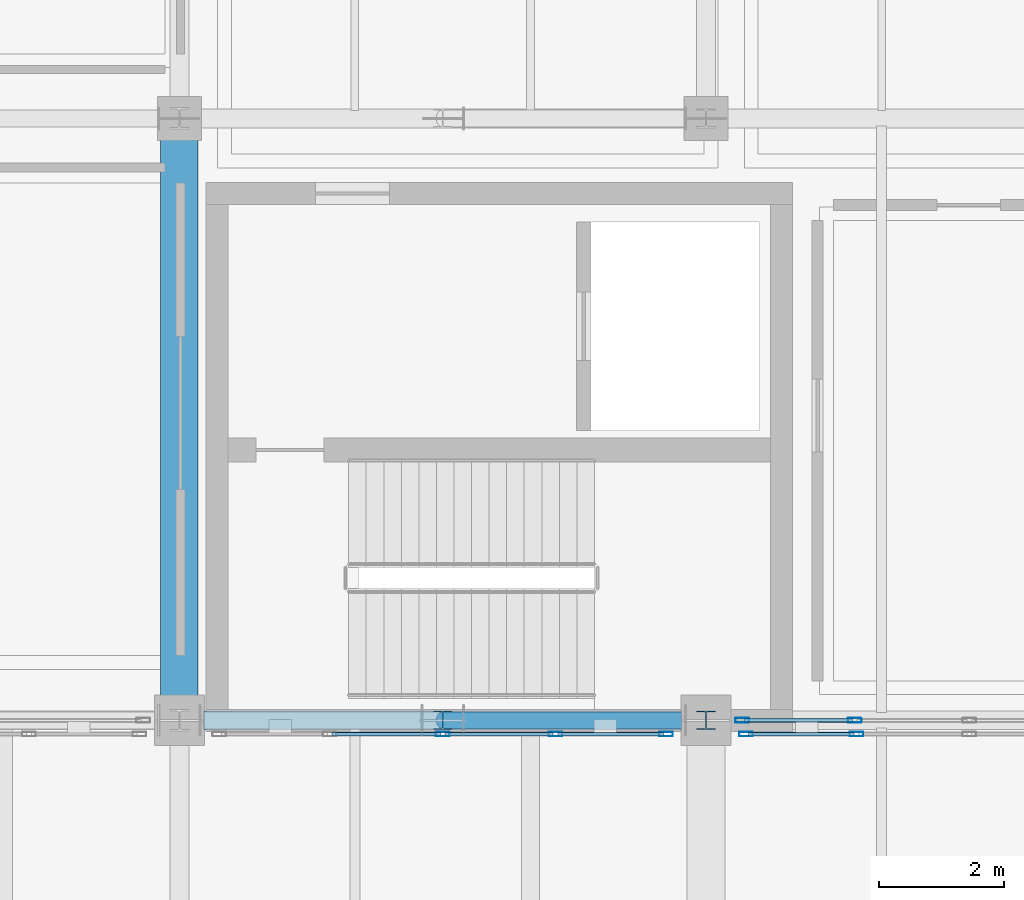
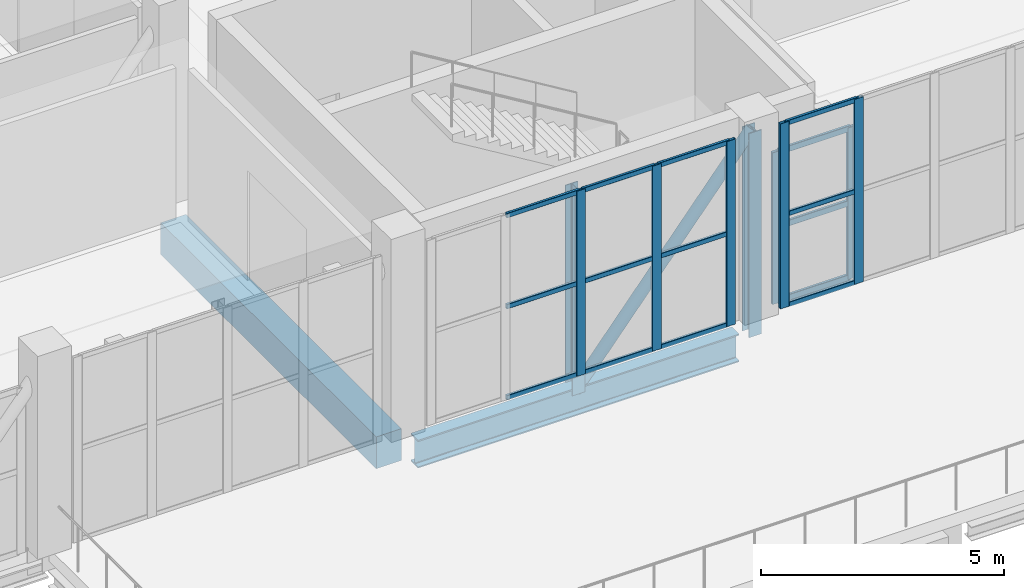
# One storey, part 5 of 77: 25 members, 2 beams, 3 elements without a shape of their own.
"""IFC4 building model written with IfcOpenShell, lengths in metres."""

from ifc_helpers import new_model, si_unit, direction, frame, origin, origin_2d, place, context, subcontext, project, spatial, rectangle, hollow_rectangle, hollow_circle, i_section, extrude, material, layer, layer_set, material_profile, profile_set, type_object, element, aggregate, save


model = new_model("IFC4")

# Units and contexts
model_context = context("Model", 3, precision=1e-05, world=origin(), true_north=direction((0.0, 1.0)))
body_context = subcontext(model_context, "Body", "Model", "MODEL_VIEW")
ifc_project = project(units=[si_unit("LENGTHUNIT", "METRE"), si_unit("AREAUNIT", "SQUARE_METRE"), si_unit("VOLUMEUNIT", "CUBIC_METRE"), si_unit("PLANEANGLEUNIT", "RADIAN"), si_unit("MASSUNIT", "GRAM", prefix="KILO")], contexts=[model_context])

# Site, building, storey
site_placement = place(None, origin())
site = spatial("IfcSite", under=ifc_project, at=site_placement, CompositionType="ELEMENT")
building_placement = place(site_placement, origin())
building = spatial("IfcBuilding", under=site, at=building_placement, Name="Zulmaris Art Gallery", CompositionType="ELEMENT")
storey_placement = place(building_placement, frame((0.0, 0.0, 15.60009765625)))
storey = spatial("IfcBuildingStorey", under=building, at=storey_placement, Name="L03", CompositionType="ELEMENT", Elevation=15.60009765625)

# Beams
ifc_material_1 = material(Name="Steel S355J2", Category="steel")
ifc_material_profile_1 = material_profile(ifc_material_1, i_section(OverallWidth=0.300048828125, OverallDepth=0.699951171875, WebThickness=0.01708984375, FlangeThickness=0.031982421875, FilletRadius=0.027099609375, at=origin_2d()), Name="HEB 700")
ifc_profile_set_1 = profile_set([ifc_material_profile_1], Name="Steel S355J2")
beam_type_1 = type_object("IfcBeamType", Name="BEAM-BM16", PredefinedType="BEAM", material=ifc_profile_set_1)
beam_1_placement = place(storey_placement, frame((32.784912109375, 21.60009765625, -0.72021484375), z_axis=(1.0, 0.0, 0.0), x_axis=(0.0, 1.0, 0.0)))
element("IfcBeam", 1, at=beam_1_placement, inside=storey, type_object=beam_type_1, Name="L03 X-girder (32.4..40.8, y=21.6)", PredefinedType="BEAM", context=body_context, shape_type="SweptSolid", body=[
    extrude(i_section(OverallWidth=0.300048828125, OverallDepth=0.699951171875, WebThickness=0.01708984375, FlangeThickness=0.031982421875, FilletRadius=0.027099609375, at=origin_2d()), origin(), (0.0, 0.0, 1.0), 7.630126953125),
])
ifc_material_2 = material(Name="Concrete C40/50", Category="concrete")
ifc_material_profile_2 = material_profile(ifc_material_2, rectangle(XDim=0.60009765625, YDim=0.800048828125, at=origin_2d()), Name="RC 600x800")
ifc_profile_set_2 = profile_set([ifc_material_profile_2], Name="Concrete C40/50")
beam_type_2 = type_object("IfcBeamType", Name="BEAM-BM27", PredefinedType="BEAM", material=ifc_profile_set_2)
beam_2_placement = place(storey_placement, frame((32.39990234375, 21.985107421875, -0.77001953125), z_axis=(0.0, 1.0, 0.0), x_axis=(-1.0, 0.0, 0.0)))
element("IfcBeam", 2, at=beam_2_placement, inside=storey, type_object=beam_type_2, Name="L03 Y-girder (x=32.4, 21.6..31.2)", PredefinedType="BEAM", context=body_context, shape_type="SweptSolid", body=[
    extrude(rectangle(XDim=0.60009765625, YDim=0.800048828125, at=origin_2d()), origin(), (0.0, 0.0, 1.0), 8.8798828125),
])

# Curtain wall, members
ifc_material_3 = material(Name="Unitised Low-E Gallery Curtain Wall", Category="aluminium")
ifc_layer_1 = layer(ifc_material_3, 0.179931640625)
ifc_layer_set_1 = layer_set([ifc_layer_1], Name="Unitised Low-E Gallery Curtain Wall")
curtain_wall_type_1 = type_object("IfcCurtainWallType", Name="CW-CW01", PredefinedType="NOTDEFINED", material=ifc_layer_set_1)
curtain_wall_1_placement = place(storey_placement, origin())
curtain_wall_1 = element("IfcCurtainWall", 3, at=curtain_wall_1_placement, inside=storey, type_object=curtain_wall_type_1, Name="L03 curtain wall 8", PredefinedType="NOTDEFINED")
ifc_material_4 = material(Name="Anodised Bronze Aluminium", Category="aluminium")
ifc_material_profile_3 = material_profile(ifc_material_4, hollow_rectangle(XDim=0.074951171875, YDim=0.219970703125, WallThickness=0.0048828125, InnerFilletRadius=0.007568359375, OuterFilletRadius=0.012451171875, at=origin_2d()), Name="ALU 75x220x5")
ifc_profile_set_3 = profile_set([ifc_material_profile_3], Name="Anodised Bronze Aluminium")
member_type_1 = type_object("IfcMemberType", Name="CWMUL-02", PredefinedType="MULLION", material=ifc_profile_set_3)
member_1_placement = place(storey_placement, frame((41.37744140625, 21.60009765625, 0.0), z_axis=(0.0, 0.0, 1.0), x_axis=(0.0, 1.0, 0.0)))
member_1 = element("IfcMember", 4, at=member_1_placement, type_object=member_type_1, Name="CW01 mullion 1", PredefinedType="MULLION", context=body_context, shape_type="SweptSolid", body=[
    extrude(hollow_rectangle(XDim=0.074951171875, YDim=0.219970703125, WallThickness=0.0048828125, InnerFilletRadius=0.007568359375, OuterFilletRadius=0.012451171875, at=origin_2d()), origin(), (0.0, 0.0, 1.0), 3.809814453125),
])
member_2_placement = place(storey_placement, frame((43.169921875, 21.60009765625, 0.0), z_axis=(0.0, 0.0, 1.0), x_axis=(0.0, 1.0, 0.0)))
member_2 = element("IfcMember", 5, at=member_2_placement, type_object=member_type_1, Name="CW01 mullion 2", PredefinedType="MULLION", context=body_context, shape_type="SweptSolid", body=[
    extrude(hollow_rectangle(XDim=0.074951171875, YDim=0.219970703125, WallThickness=0.0048828125, InnerFilletRadius=0.007568359375, OuterFilletRadius=0.012451171875, at=origin_2d()), origin(), (0.0, 0.0, 1.0), 3.809814453125),
])

ifc_material_5 = material(Name="Perforated Bronze Art Deco Mashrabiya Screen", Category="aluminium")
ifc_layer_2 = layer(ifc_material_5, 0.179931640625)
ifc_layer_set_2 = layer_set([ifc_layer_2], Name="Perforated Bronze Art Deco Mashrabiya Screen")
curtain_wall_type_2 = type_object("IfcCurtainWallType", Name="CW-CW06", PredefinedType="USERDEFINED", material=ifc_layer_set_2)
curtain_wall_2_placement = place(storey_placement, origin())
curtain_wall_2 = element("IfcCurtainWall", 6, at=curtain_wall_2_placement, inside=storey, type_object=curtain_wall_type_2, Name="L03 Mashrabiya screen 172", ObjectType="MASHRABIYA SCREEN", PredefinedType="USERDEFINED")
member_3_placement = place(storey_placement, frame((36.60009765625, 21.3798828125, 0.0), z_axis=(0.0, 0.0, 1.0), x_axis=(0.0, 1.0, 0.0)))
member_3 = element("IfcMember", 7, at=member_3_placement, type_object=member_type_1, Name="CW06 mullion 3", PredefinedType="MULLION", context=body_context, shape_type="SweptSolid", body=[
    extrude(hollow_rectangle(XDim=0.074951171875, YDim=0.219970703125, WallThickness=0.0048828125, InnerFilletRadius=0.007568359375, OuterFilletRadius=0.012451171875, at=origin_2d()), origin(), (0.0, 0.0, 1.0), 4.64990234375),
])
member_4_placement = place(storey_placement, frame((38.39990234375, 21.3798828125, 0.0), z_axis=(0.0, 0.0, 1.0), x_axis=(0.0, 1.0, 0.0)))
member_4 = element("IfcMember", 8, at=member_4_placement, type_object=member_type_1, Name="CW06 mullion 4", PredefinedType="MULLION", context=body_context, shape_type="SweptSolid", body=[
    extrude(hollow_rectangle(XDim=0.074951171875, YDim=0.219970703125, WallThickness=0.0048828125, InnerFilletRadius=0.007568359375, OuterFilletRadius=0.012451171875, at=origin_2d()), origin(), (0.0, 0.0, 1.0), 4.64990234375),
])
member_5_placement = place(storey_placement, frame((40.16259765625, 21.3798828125, 0.0), z_axis=(0.0, 0.0, 1.0), x_axis=(0.0, 1.0, 0.0)))
member_5 = element("IfcMember", 9, at=member_5_placement, type_object=member_type_1, Name="CW06 mullion 5", PredefinedType="MULLION", context=body_context, shape_type="SweptSolid", body=[
    extrude(hollow_rectangle(XDim=0.074951171875, YDim=0.219970703125, WallThickness=0.0048828125, InnerFilletRadius=0.007568359375, OuterFilletRadius=0.012451171875, at=origin_2d()), origin(), (0.0, 0.0, 1.0), 4.64990234375),
])

curtain_wall_3_placement = place(storey_placement, origin())
curtain_wall_3 = element("IfcCurtainWall", 10, at=curtain_wall_3_placement, inside=storey, type_object=curtain_wall_type_2, Name="L03 Mashrabiya screen 173", ObjectType="MASHRABIYA SCREEN", PredefinedType="USERDEFINED")
member_6_placement = place(storey_placement, frame((41.4375, 21.3798828125, 0.0), z_axis=(0.0, 0.0, 1.0), x_axis=(0.0, 1.0, 0.0)))
member_6 = element("IfcMember", 11, at=member_6_placement, type_object=member_type_1, Name="CW06 mullion 1", PredefinedType="MULLION", context=body_context, shape_type="SweptSolid", body=[
    extrude(hollow_rectangle(XDim=0.074951171875, YDim=0.219970703125, WallThickness=0.0048828125, InnerFilletRadius=0.007568359375, OuterFilletRadius=0.012451171875, at=origin_2d()), origin(), (0.0, 0.0, 1.0), 4.64990234375),
])
member_7_placement = place(storey_placement, frame((43.199951171875, 21.3798828125, 0.0), z_axis=(0.0, 0.0, 1.0), x_axis=(0.0, 1.0, 0.0)))
member_7 = element("IfcMember", 12, at=member_7_placement, type_object=member_type_1, Name="CW06 mullion 2", PredefinedType="MULLION", context=body_context, shape_type="SweptSolid", body=[
    extrude(hollow_rectangle(XDim=0.074951171875, YDim=0.219970703125, WallThickness=0.0048828125, InnerFilletRadius=0.007568359375, OuterFilletRadius=0.012451171875, at=origin_2d()), origin(), (0.0, 0.0, 1.0), 4.64990234375),
])

# Member
ifc_material_profile_4 = material_profile(ifc_material_4, hollow_rectangle(XDim=0.06494140625, YDim=0.14990234375, WallThickness=0.00390625, InnerFilletRadius=0.006103515625, OuterFilletRadius=0.010009765625, at=origin_2d()), Name="ALU 65x150x4")
ifc_profile_set_4 = profile_set([ifc_material_profile_4], Name="Anodised Bronze Aluminium")
member_type_2 = type_object("IfcMemberType", Name="CWTRN-01", PredefinedType="USERDEFINED", material=ifc_profile_set_4)
member_8_placement = place(storey_placement, frame((41.4150390625, 21.60009765625, 0.037353515625), z_axis=(1.0, 0.0, 0.0), x_axis=(0.0, 1.0, 0.0)))
member_8 = element("IfcMember", 13, at=member_8_placement, type_object=member_type_2, Name="CW01 transom 1.1", ObjectType="TRANSOM", PredefinedType="USERDEFINED", context=body_context, shape_type="SweptSolid", body=[
    extrude(hollow_rectangle(XDim=0.06494140625, YDim=0.14990234375, WallThickness=0.00390625, InnerFilletRadius=0.006103515625, OuterFilletRadius=0.010009765625, at=origin_2d()), origin(), (0.0, 0.0, 1.0), 1.717529296875),
])

member_9_placement = place(storey_placement, frame((41.4150390625, 21.60009765625, 1.90478515625), z_axis=(1.0, 0.0, 0.0), x_axis=(0.0, 1.0, 0.0)))
member_9 = element("IfcMember", 14, at=member_9_placement, type_object=member_type_2, Name="CW01 transom 1.2", ObjectType="TRANSOM", PredefinedType="USERDEFINED", context=body_context, shape_type="SweptSolid", body=[
    extrude(hollow_rectangle(XDim=0.06494140625, YDim=0.14990234375, WallThickness=0.00390625, InnerFilletRadius=0.006103515625, OuterFilletRadius=0.010009765625, at=origin_2d()), origin(), (0.0, 0.0, 1.0), 1.717529296875),
])

member_10_placement = place(storey_placement, frame((41.4150390625, 21.60009765625, 3.7724609375), z_axis=(1.0, 0.0, 0.0), x_axis=(0.0, 1.0, 0.0)))
member_10 = element("IfcMember", 15, at=member_10_placement, type_object=member_type_2, Name="CW01 transom 1.3", ObjectType="TRANSOM", PredefinedType="USERDEFINED", context=body_context, shape_type="SweptSolid", body=[
    extrude(hollow_rectangle(XDim=0.06494140625, YDim=0.14990234375, WallThickness=0.00390625, InnerFilletRadius=0.006103515625, OuterFilletRadius=0.010009765625, at=origin_2d()), origin(), (0.0, 0.0, 1.0), 1.717529296875),
])

aggregate(curtain_wall_1, [member_1, member_2, member_8, member_9, member_10])

ifc_material_profile_5 = material_profile(ifc_material_4, hollow_rectangle(XDim=0.06494140625, YDim=0.1201171875, WallThickness=0.00390625, InnerFilletRadius=0.006103515625, OuterFilletRadius=0.010009765625, at=origin_2d()), Name="ALU 65x120x4")
ifc_profile_set_5 = profile_set([ifc_material_profile_5], Name="Anodised Bronze Aluminium")
member_type_3 = type_object("IfcMemberType", Name="CWTRN-03", PredefinedType="USERDEFINED", material=ifc_profile_set_5)
member_11_placement = place(storey_placement, frame((34.83740234375, 21.3798828125, 0.037353515625), z_axis=(1.0, 0.0, 0.0), x_axis=(0.0, 1.0, 0.0)))
member_11 = element("IfcMember", 16, at=member_11_placement, type_object=member_type_3, Name="CW06 transom 2.1", ObjectType="TRANSOM", PredefinedType="USERDEFINED", context=body_context, shape_type="SweptSolid", body=[
    extrude(hollow_rectangle(XDim=0.06494140625, YDim=0.1201171875, WallThickness=0.00390625, InnerFilletRadius=0.006103515625, OuterFilletRadius=0.010009765625, at=origin_2d()), origin(), (0.0, 0.0, 1.0), 1.72509765625),
])

member_12_placement = place(storey_placement, frame((34.83740234375, 21.3798828125, 2.324951171875), z_axis=(1.0, 0.0, 0.0), x_axis=(0.0, 1.0, 0.0)))
member_12 = element("IfcMember", 17, at=member_12_placement, type_object=member_type_3, Name="CW06 transom 2.2", ObjectType="TRANSOM", PredefinedType="USERDEFINED", context=body_context, shape_type="SweptSolid", body=[
    extrude(hollow_rectangle(XDim=0.06494140625, YDim=0.1201171875, WallThickness=0.00390625, InnerFilletRadius=0.006103515625, OuterFilletRadius=0.010009765625, at=origin_2d()), origin(), (0.0, 0.0, 1.0), 1.72509765625),
])

member_13_placement = place(storey_placement, frame((34.83740234375, 21.3798828125, 4.6123046875), z_axis=(1.0, 0.0, 0.0), x_axis=(0.0, 1.0, 0.0)))
member_13 = element("IfcMember", 18, at=member_13_placement, type_object=member_type_3, Name="CW06 transom 2.3", ObjectType="TRANSOM", PredefinedType="USERDEFINED", context=body_context, shape_type="SweptSolid", body=[
    extrude(hollow_rectangle(XDim=0.06494140625, YDim=0.1201171875, WallThickness=0.00390625, InnerFilletRadius=0.006103515625, OuterFilletRadius=0.010009765625, at=origin_2d()), origin(), (0.0, 0.0, 1.0), 1.72509765625),
])

member_14_placement = place(storey_placement, frame((36.637451171875, 21.3798828125, 0.037353515625), z_axis=(1.0, 0.0, 0.0), x_axis=(0.0, 1.0, 0.0)))
member_14 = element("IfcMember", 19, at=member_14_placement, type_object=member_type_3, Name="CW06 transom 3.1", ObjectType="TRANSOM", PredefinedType="USERDEFINED", context=body_context, shape_type="SweptSolid", body=[
    extrude(hollow_rectangle(XDim=0.06494140625, YDim=0.1201171875, WallThickness=0.00390625, InnerFilletRadius=0.006103515625, OuterFilletRadius=0.010009765625, at=origin_2d()), origin(), (0.0, 0.0, 1.0), 1.72509765625),
])

member_15_placement = place(storey_placement, frame((36.637451171875, 21.3798828125, 2.324951171875), z_axis=(1.0, 0.0, 0.0), x_axis=(0.0, 1.0, 0.0)))
member_15 = element("IfcMember", 20, at=member_15_placement, type_object=member_type_3, Name="CW06 transom 3.2", ObjectType="TRANSOM", PredefinedType="USERDEFINED", context=body_context, shape_type="SweptSolid", body=[
    extrude(hollow_rectangle(XDim=0.06494140625, YDim=0.1201171875, WallThickness=0.00390625, InnerFilletRadius=0.006103515625, OuterFilletRadius=0.010009765625, at=origin_2d()), origin(), (0.0, 0.0, 1.0), 1.72509765625),
])

member_16_placement = place(storey_placement, frame((36.637451171875, 21.3798828125, 4.6123046875), z_axis=(1.0, 0.0, 0.0), x_axis=(0.0, 1.0, 0.0)))
member_16 = element("IfcMember", 21, at=member_16_placement, type_object=member_type_3, Name="CW06 transom 3.3", ObjectType="TRANSOM", PredefinedType="USERDEFINED", context=body_context, shape_type="SweptSolid", body=[
    extrude(hollow_rectangle(XDim=0.06494140625, YDim=0.1201171875, WallThickness=0.00390625, InnerFilletRadius=0.006103515625, OuterFilletRadius=0.010009765625, at=origin_2d()), origin(), (0.0, 0.0, 1.0), 1.72509765625),
])

member_17_placement = place(storey_placement, frame((38.4375, 21.3798828125, 0.037353515625), z_axis=(1.0, 0.0, 0.0), x_axis=(0.0, 1.0, 0.0)))
member_17 = element("IfcMember", 22, at=member_17_placement, type_object=member_type_3, Name="CW06 transom 4.1", ObjectType="TRANSOM", PredefinedType="USERDEFINED", context=body_context, shape_type="SweptSolid", body=[
    extrude(hollow_rectangle(XDim=0.06494140625, YDim=0.1201171875, WallThickness=0.00390625, InnerFilletRadius=0.006103515625, OuterFilletRadius=0.010009765625, at=origin_2d()), origin(), (0.0, 0.0, 1.0), 1.6875),
])

member_18_placement = place(storey_placement, frame((38.4375, 21.3798828125, 2.324951171875), z_axis=(1.0, 0.0, 0.0), x_axis=(0.0, 1.0, 0.0)))
member_18 = element("IfcMember", 23, at=member_18_placement, type_object=member_type_3, Name="CW06 transom 4.2", ObjectType="TRANSOM", PredefinedType="USERDEFINED", context=body_context, shape_type="SweptSolid", body=[
    extrude(hollow_rectangle(XDim=0.06494140625, YDim=0.1201171875, WallThickness=0.00390625, InnerFilletRadius=0.006103515625, OuterFilletRadius=0.010009765625, at=origin_2d()), origin(), (0.0, 0.0, 1.0), 1.6875),
])

member_19_placement = place(storey_placement, frame((38.4375, 21.3798828125, 4.6123046875), z_axis=(1.0, 0.0, 0.0), x_axis=(0.0, 1.0, 0.0)))
member_19 = element("IfcMember", 24, at=member_19_placement, type_object=member_type_3, Name="CW06 transom 4.3", ObjectType="TRANSOM", PredefinedType="USERDEFINED", context=body_context, shape_type="SweptSolid", body=[
    extrude(hollow_rectangle(XDim=0.06494140625, YDim=0.1201171875, WallThickness=0.00390625, InnerFilletRadius=0.006103515625, OuterFilletRadius=0.010009765625, at=origin_2d()), origin(), (0.0, 0.0, 1.0), 1.6875),
])

aggregate(curtain_wall_2, [member_3, member_4, member_5, member_11, member_12, member_13, member_14, member_15, member_16, member_17, member_18, member_19])

member_20_placement = place(storey_placement, frame((41.47509765625, 21.3798828125, 0.037353515625), z_axis=(1.0, 0.0, 0.0), x_axis=(0.0, 1.0, 0.0)))
member_20 = element("IfcMember", 25, at=member_20_placement, type_object=member_type_3, Name="CW06 transom 1.1", ObjectType="TRANSOM", PredefinedType="USERDEFINED", context=body_context, shape_type="SweptSolid", body=[
    extrude(hollow_rectangle(XDim=0.06494140625, YDim=0.1201171875, WallThickness=0.00390625, InnerFilletRadius=0.006103515625, OuterFilletRadius=0.010009765625, at=origin_2d()), origin(), (0.0, 0.0, 1.0), 1.6875),
])

member_21_placement = place(storey_placement, frame((41.47509765625, 21.3798828125, 2.324951171875), z_axis=(1.0, 0.0, 0.0), x_axis=(0.0, 1.0, 0.0)))
member_21 = element("IfcMember", 26, at=member_21_placement, type_object=member_type_3, Name="CW06 transom 1.2", ObjectType="TRANSOM", PredefinedType="USERDEFINED", context=body_context, shape_type="SweptSolid", body=[
    extrude(hollow_rectangle(XDim=0.06494140625, YDim=0.1201171875, WallThickness=0.00390625, InnerFilletRadius=0.006103515625, OuterFilletRadius=0.010009765625, at=origin_2d()), origin(), (0.0, 0.0, 1.0), 1.6875),
])

member_22_placement = place(storey_placement, frame((41.47509765625, 21.3798828125, 4.6123046875), z_axis=(1.0, 0.0, 0.0), x_axis=(0.0, 1.0, 0.0)))
member_22 = element("IfcMember", 27, at=member_22_placement, type_object=member_type_3, Name="CW06 transom 1.3", ObjectType="TRANSOM", PredefinedType="USERDEFINED", context=body_context, shape_type="SweptSolid", body=[
    extrude(hollow_rectangle(XDim=0.06494140625, YDim=0.1201171875, WallThickness=0.00390625, InnerFilletRadius=0.006103515625, OuterFilletRadius=0.010009765625, at=origin_2d()), origin(), (0.0, 0.0, 1.0), 1.6875),
])

aggregate(curtain_wall_3, [member_6, member_7, member_20, member_21, member_22])

# Members
ifc_material_6 = material(Name="Steel S355J2H", Category="steel")
ifc_material_profile_6 = material_profile(ifc_material_6, hollow_circle(Radius=0.136474609375, WallThickness=0.012451171875, at=origin_2d()), Name="CHS 273x12.5")
ifc_profile_set_6 = profile_set([ifc_material_profile_6], Name="Steel S355J2H")
member_type_4 = type_object("IfcMemberType", Name="MEM-TB03", PredefinedType="BRACE", material=ifc_profile_set_6)
member_23_placement = place(storey_placement, frame((36.60009765625, 21.60009765625, -0.5361328125), z_axis=(0.634319436883, 0.0, 0.773071052357), x_axis=(0.0, 1.0, 0.0)))
element("IfcMember", 28, at=member_23_placement, inside=storey, type_object=member_type_4, Name="Cantilever truss TR-C1 diagonal 7", PredefinedType="BRACE", context=body_context, shape_type="SweptSolid", body=[
    extrude(hollow_circle(Radius=0.136474609375, WallThickness=0.012451171875, at=origin_2d()), origin(), (0.0, 0.0, 1.0), 6.62109375),
])
ifc_material_profile_7 = material_profile(ifc_material_1, i_section(OverallWidth=0.300048828125, OverallDepth=0.300048828125, WebThickness=0.010986328125, FlangeThickness=0.01904296875, FilletRadius=0.027099609375, at=origin_2d()), Name="HEB 300")
ifc_profile_set_7 = profile_set([ifc_material_profile_7], Name="Steel S355J2")
member_type_5 = type_object("IfcMemberType", Name="MEM-TP03", PredefinedType="POST", material=ifc_profile_set_7)
member_24_placement = place(storey_placement, frame((36.60009765625, 21.60009765625, -0.5361328125), z_axis=(0.0, 0.0, 1.0), x_axis=(1.0, 0.0, 0.0)))
element("IfcMember", 29, at=member_24_placement, inside=storey, type_object=member_type_5, Name="Cantilever truss TR-C1 post 7", PredefinedType="POST", context=body_context, shape_type="SweptSolid", body=[
    extrude(i_section(OverallWidth=0.300048828125, OverallDepth=0.300048828125, WebThickness=0.010986328125, FlangeThickness=0.01904296875, FilletRadius=0.027099609375, at=origin_2d()), origin(), (0.0, 0.0, 1.0), 5.11865234375),
])
member_25_placement = place(storey_placement, frame((40.800048828125, 21.60009765625, -0.550048828125), z_axis=(0.0, 0.0, 1.0), x_axis=(1.0, 0.0, 0.0)))
element("IfcMember", 30, at=member_25_placement, inside=storey, type_object=member_type_5, Name="Cantilever truss TR-C1 post 8", PredefinedType="POST", context=body_context, shape_type="SweptSolid", body=[
    extrude(i_section(OverallWidth=0.300048828125, OverallDepth=0.300048828125, WebThickness=0.010986328125, FlangeThickness=0.01904296875, FilletRadius=0.027099609375, at=origin_2d()), origin(), (0.0, 0.0, 1.0), 5.132568359375),
])

save(model, "model.ifc")
